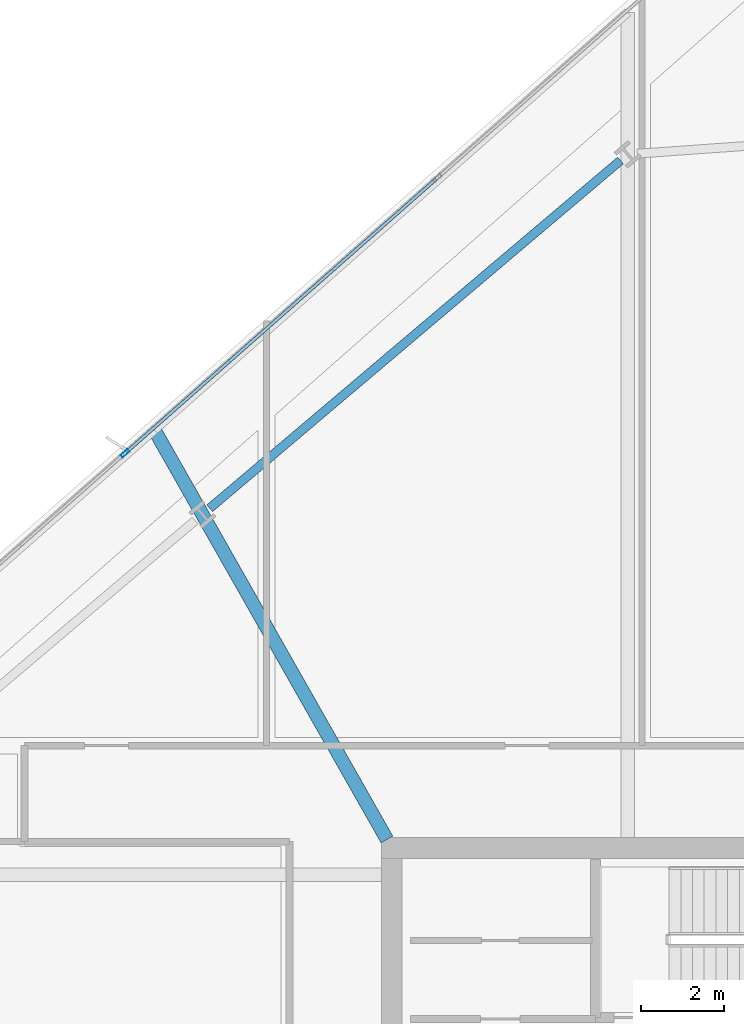
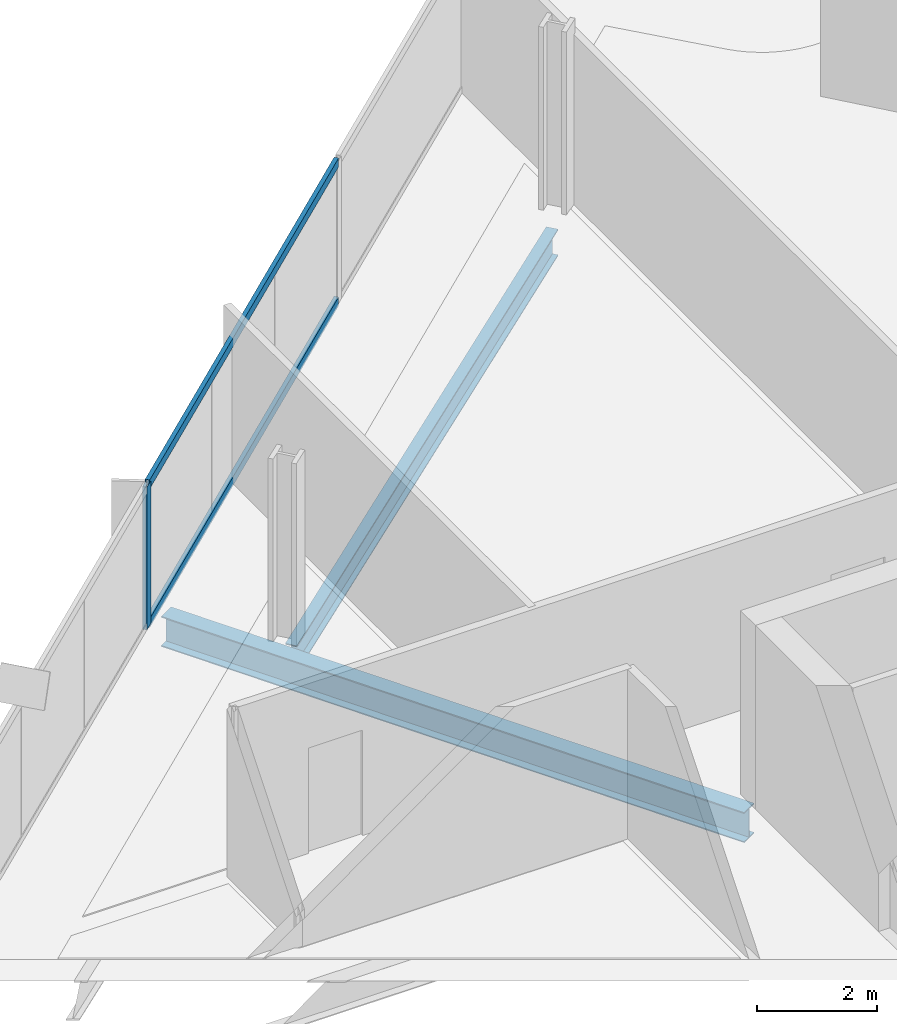
# One storey, part 17 of 34: 3 members, 2 beams, 1 element without a shape of its own.
"""IFC4 building model written with IfcOpenShell, lengths in metres."""

import ifcopenshell
import ifcopenshell.guid

model = None  # the IFC model being written
_history = None  # IfcOwnerHistory: only IFC2X3 demands one
_inside = {}  # id of a spatial element -> (the spatial element, [elements in it])
_under = {}  # id of a project, library or spatial element -> (it, [spatial elements below it])
_declared = {}  # id of a project -> (the project, [libraries it declares])
_typed = {}  # id of a type object -> (the type object, [elements of that type])
_made_of = {}  # id of a material, layer set ... -> (it, [elements and type objects made of it])


def new_model(schema):
    """Start an empty IFC model of exactly this schema.

    Asked for "IFC4X3", IfcOpenShell would pick the latest addendum, in which some entities
    have other attributes; the version numbers below select the first issue.
    IFC2X3 requires an IfcOwnerHistory on every rooted entity: one is made here for all.
    """
    global model, _history
    if schema == "IFC4X3":
        model = ifcopenshell.file(schema_version=(4, 3, 0, 0))
    else:
        model = ifcopenshell.file(schema=schema)
    _inside.clear()
    _under.clear()
    _declared.clear()
    _typed.clear()
    _made_of.clear()
    _history = None
    if model.schema == "IFC2X3":
        org = make("IfcOrganization", Name="unknown")
        user = make(
            "IfcPersonAndOrganization",
            ThePerson=make("IfcPerson", FamilyName="unknown"),
            TheOrganization=org,
        )
        app = make(
            "IfcApplication",
            ApplicationDeveloper=org,
            Version="unknown",
            ApplicationFullName="unknown",
            ApplicationIdentifier="unknown",
        )
        _history = make(
            "IfcOwnerHistory",
            OwningUser=user,
            OwningApplication=app,
            ChangeAction="ADDED",
            CreationDate=0,
        )
    return model


def make(cls, **values):
    """One entity of the class cls with the attributes given. An attribute that is None is left unset."""
    return model.create_entity(
        cls, **{name: value for name, value in values.items() if value is not None}
    )


def rooted(cls, **values):
    """An entity with a GlobalId (a new one), such as an element, a storey or a relation."""
    return make(cls, GlobalId=ifcopenshell.guid.new(), OwnerHistory=_history, **values)


def si_unit(unit_type, name, prefix=None):
    """IfcSIUnit, for example si_unit("LENGTHUNIT", "METRE", prefix="MILLI")."""
    return make("IfcSIUnit", UnitType=unit_type, Prefix=prefix, Name=name)


def assignment(units):
    """IfcUnitAssignment: the units of a project."""
    return None if units is None else make("IfcUnitAssignment", Units=units)


def point(xyz):
    """IfcCartesianPoint."""
    return None if xyz is None else make("IfcCartesianPoint", Coordinates=xyz)


def direction(xyz):
    """IfcDirection."""
    return None if xyz is None else make("IfcDirection", DirectionRatios=xyz)


def frame(location, z_axis=None, x_axis=None):
    """IfcAxis2Placement3D, a coordinate frame: its origin and axes. An axis left out is left unset."""
    return make(
        "IfcAxis2Placement3D",
        Location=point(location),
        Axis=direction(z_axis),
        RefDirection=direction(x_axis),
    )


def frame_2d(location, x_axis=None):
    """IfcAxis2Placement2D, a coordinate frame in the plane: its origin and x axis."""
    return make(
        "IfcAxis2Placement2D", Location=point(location), RefDirection=direction(x_axis)
    )


def origin():
    """The frame at (0, 0, 0) with its axes left unset."""
    return frame((0.0, 0.0, 0.0))


def origin_2d():
    """The frame at (0, 0) in the plane with its x axis left unset."""
    return frame_2d((0.0, 0.0))


def place(relative_to, where):
    """IfcLocalPlacement: puts the frame where relative to a parent placement (None: the world)."""
    return make(
        "IfcLocalPlacement", PlacementRelTo=relative_to, RelativePlacement=where
    )


def context(
    kind, dimensions, precision=None, world=None, true_north=None, identifier=None
):
    """IfcGeometricRepresentationContext, for example the 3D "Model" context."""
    return make(
        "IfcGeometricRepresentationContext",
        ContextIdentifier=identifier,
        ContextType=kind,
        CoordinateSpaceDimension=dimensions,
        Precision=precision,
        WorldCoordinateSystem=world,
        TrueNorth=true_north,
    )


def subcontext(parent, identifier, kind, view, scale=None):
    """IfcGeometricRepresentationSubContext, for example "Body" below "Model"."""
    return make(
        "IfcGeometricRepresentationSubContext",
        ContextIdentifier=identifier,
        ContextType=kind,
        ParentContext=parent,
        TargetScale=scale,
        TargetView=view,
    )


def project(units=None, contexts=None):
    """IfcProject with its units and contexts."""
    return rooted(
        "IfcProject",
        Name="project",
        RepresentationContexts=contexts,
        UnitsInContext=assignment(units),
    )


def spatial(cls, under=None, at=None, **own):
    """A site, building, storey or space (cls), placed at a placement, below another one or the project."""
    s = rooted(cls, ObjectPlacement=at, **own)
    if under is not None:
        _under.setdefault(under.id(), (under, []))[1].append(s)
    return s


def profile(cls, at=None, kind="AREA", **sizes):
    """A parametric profile (cls). Its sizes go by their IFC names, for example OverallWidth=200.0."""
    return make(cls, ProfileType=kind, Position=at, **sizes)


def hollow_rectangle(**sizes):
    """IfcRectangleHollowProfileDef."""
    return profile("IfcRectangleHollowProfileDef", **sizes)


def i_section(**sizes):
    """IfcIShapeProfileDef."""
    return profile("IfcIShapeProfileDef", **sizes)


def extrude(swept, where, along, depth):
    """IfcExtrudedAreaSolid: the profile swept, set in the frame where, extruded along a direction by depth."""
    return make(
        "IfcExtrudedAreaSolid",
        SweptArea=swept,
        Position=where,
        ExtrudedDirection=direction(along),
        Depth=depth,
    )


def shape(context_of_items, identifier, shape_type, items):
    """IfcShapeRepresentation: the items that make up one representation, for example the "Body"."""
    return make(
        "IfcShapeRepresentation",
        ContextOfItems=context_of_items,
        RepresentationIdentifier=identifier,
        RepresentationType=shape_type,
        Items=items,
    )


def material(Name=None, Category=None):
    """IfcMaterial."""
    return make("IfcMaterial", Name=Name, Category=Category)


def material_profile(
    of_material, cross_section, Name=None, Category=None, Priority=None
):
    """IfcMaterialProfile: a cross section and its material."""
    return make(
        "IfcMaterialProfile",
        Name=Name,
        Material=of_material,
        Profile=cross_section,
        Priority=Priority,
        Category=Category,
    )


def profile_set(profiles, Name=None, composite=None):
    """IfcMaterialProfileSet."""
    return make(
        "IfcMaterialProfileSet",
        Name=Name,
        MaterialProfiles=profiles,
        CompositeProfile=composite,
    )


def made_of(thing, what):
    """Note that an element or type object is made of a material, layer set ...; save() writes the relation."""
    if what is not None:
        _made_of.setdefault(what.id(), (what, []))[1].append(thing)
    return thing


def type_object(cls, material=None, **own):
    """A type object (cls), such as IfcWallType, which elements share."""
    return made_of(rooted(cls, **own), material)


def element(
    cls,
    number,
    at=None,
    inside=None,
    cuts=None,
    type_object=None,
    material=None,
    context=None,
    identifier="Body",
    shape_type=None,
    held_by="IfcProductDefinitionShape",
    body=None,
    shapes=None,
    **own,
):
    """One element of the class cls, such as IfcWall. Its Tag is "e" and its number.

    at: its placement. inside: the storey or other place that contains it. cuts: it is an
    opening in that element (IfcRelVoidsElement). A single representation is given by context,
    identifier, shape_type and body (its items); several are given by shapes. held_by: the class
    of the entity that holds the representations. save() writes the other relations.
    """
    e = rooted(cls, Tag="e%d" % number, ObjectPlacement=at, **own)
    if body is not None:
        shapes = [shape(context, identifier, shape_type, body)]
    if shapes is not None:
        e.Representation = make(held_by, Representations=shapes)
    if inside is not None:
        _inside.setdefault(inside.id(), (inside, []))[1].append(e)
    if cuts is not None:
        rooted(
            "IfcRelVoidsElement", RelatingBuildingElement=cuts, RelatedOpeningElement=e
        )
    if type_object is not None:
        _typed.setdefault(type_object.id(), (type_object, []))[1].append(e)
    return made_of(e, material)


def aggregate(whole, parts):
    """IfcRelAggregates: a whole, such as a stair, and the parts it consists of."""
    return rooted("IfcRelAggregates", RelatingObject=whole, RelatedObjects=parts)


def save(model, path):
    """Write the relations noted so far, then the file.

    IfcRelAggregates (storeys below a building ...), IfcRelContainedInSpatialStructure (elements
    in a storey), IfcRelDefinesByType, IfcRelAssociatesMaterial and IfcRelDeclares: one each for
    every whole, place, type object, material and project.
    """
    for whole, parts in _under.values():
        aggregate(whole, parts)
    for where, things in _inside.values():
        rooted(
            "IfcRelContainedInSpatialStructure",
            RelatedElements=things,
            RelatingStructure=where,
        )
    for kind, things in _typed.values():
        rooted("IfcRelDefinesByType", RelatedObjects=things, RelatingType=kind)
    for what, things in _made_of.values():
        rooted("IfcRelAssociatesMaterial", RelatedObjects=things, RelatingMaterial=what)
    for by, libraries in _declared.values():
        rooted("IfcRelDeclares", RelatingContext=by, RelatedDefinitions=libraries)
    model.write(path)


model = new_model("IFC4")

# Units and contexts
model_context = context("Model", 3, precision=1e-05, world=origin(), true_north=direction((0.0, 1.0)))
body_context = subcontext(model_context, "Body", "Model", "MODEL_VIEW")
ifc_project = project(units=[si_unit("LENGTHUNIT", "METRE"), si_unit("AREAUNIT", "SQUARE_METRE"), si_unit("VOLUMEUNIT", "CUBIC_METRE"), si_unit("PLANEANGLEUNIT", "RADIAN"), si_unit("MASSUNIT", "GRAM", prefix="KILO")], contexts=[model_context])

# Site, building, storey
site_placement = place(None, origin())
site = spatial("IfcSite", under=ifc_project, at=site_placement, CompositionType="ELEMENT")
building_placement = place(site_placement, origin())
building = spatial("IfcBuilding", under=site, at=building_placement, Name="Haldenkirk Collegiate Tower", CompositionType="ELEMENT")
storey_placement = place(building_placement, frame((0.0, 0.0, 166.949951171875)))
storey = spatial("IfcBuildingStorey", under=building, at=storey_placement, Name="L41", CompositionType="ELEMENT", Elevation=166.949951171875)

# Beams
ifc_material_1 = material(Name="Steel ASTM A992 Grade 50", Category="steel")
ifc_material_profile_1 = material_profile(ifc_material_1, i_section(OverallWidth=0.324951171875, OverallDepth=0.615966796875, WebThickness=0.013916015625, FlangeThickness=0.021484375, at=origin_2d()), Name="W24X117")
ifc_profile_set_1 = profile_set([ifc_material_profile_1], Name="Steel ASTM A992 Grade 50")
beam_type_1 = type_object("IfcBeamType", Name="BM-GIRDER-W24X117", PredefinedType="BEAM", material=ifc_profile_set_1)
beam_1_placement = place(storey_placement, frame((21.3115234375, 44.01904296875, -0.597900390625), z_axis=(0.493736344355, -0.869611650257, 0.0), x_axis=(0.869611650257, 0.493736344355, 0.0)))
element("IfcBeam", 1, at=beam_1_placement, inside=storey, type_object=beam_type_1, Name="L41 primary floor girder 12", PredefinedType="BEAM", context=body_context, shape_type="SweptSolid", body=[
    extrude(i_section(OverallWidth=0.324951171875, OverallDepth=0.615966796875, WebThickness=0.013916015625, FlangeThickness=0.021484375, at=origin_2d()), origin(), (0.0, 0.0, 1.0), 11.291259765625),
])
ifc_material_profile_2 = material_profile(ifc_material_1, i_section(OverallWidth=0.2119140625, OverallDepth=0.5439453125, WebThickness=0.01318359375, FlangeThickness=0.021240234375, at=origin_2d()), Name="W21X83")
ifc_profile_set_2 = profile_set([ifc_material_profile_2], Name="Steel ASTM A992 Grade 50")
beam_type_2 = type_object("IfcBeamType", Name="BM-SPANDREL-W21X83", PredefinedType="SPANDREL", material=ifc_profile_set_2)
beam_2_placement = place(storey_placement, frame((32.482666015625, 50.471435546875, -0.56201171875), z_axis=(-0.763233335078, -0.646122957514, 0.0), x_axis=(0.646122957514, -0.763233335078, 0.0)))
element("IfcBeam", 2, at=beam_2_placement, inside=storey, type_object=beam_type_2, Name="L41 perimeter spandrel beam 10", PredefinedType="SPANDREL", context=body_context, shape_type="SweptSolid", body=[
    extrude(i_section(OverallWidth=0.2119140625, OverallDepth=0.5439453125, WebThickness=0.01318359375, FlangeThickness=0.021240234375, at=origin_2d()), origin(), (0.0, 0.0, 1.0), 12.898193359375),
])

# Curtain wall, members
ifc_material_2 = material(Name="Anodised architectural bronze aluminium", Category="aluminium")
curtain_wall_type = type_object("IfcCurtainWallType", Name="CW-SYS1-CONVEX-LOW", PredefinedType="USERDEFINED", material=ifc_material_2)
curtain_wall_placement = place(storey_placement, origin())
curtain_wall = element("IfcCurtainWall", 3, at=curtain_wall_placement, inside=storey, type_object=curtain_wall_type, Name="L41 Lower tower convex bronze-framed unitised curtain wall", ObjectType="UNITISED CURTAIN WALL", PredefinedType="USERDEFINED")
ifc_material_profile_3 = material_profile(ifc_material_2, hollow_rectangle(XDim=0.080078125, YDim=0.219970703125, WallThickness=0.0048828125, at=origin_2d()), Name="CW-MUL-1A")
ifc_profile_set_3 = profile_set([ifc_material_profile_3], Name="Anodised architectural bronze aluminium")
member_type_1 = type_object("IfcMemberType", Name="CW-MUL-1A", PredefinedType="MULLION", material=ifc_profile_set_3)
member_1_placement = place(storey_placement, frame((20.611328125, 43.455078125, 0.0), z_axis=(0.0, 0.0, 1.0), x_axis=(-0.661310403519, 0.750112358382, 0.0)))
member_1 = element("IfcMember", 4, at=member_1_placement, type_object=member_type_1, Name="CW-1A mullion 3", PredefinedType="MULLION", context=body_context, shape_type="SweptSolid", body=[
    extrude(hollow_rectangle(XDim=0.080078125, YDim=0.219970703125, WallThickness=0.0048828125, at=origin_2d()), origin(), (0.0, 0.0, 1.0), 2.9111328125),
])
ifc_material_profile_4 = material_profile(ifc_material_2, hollow_rectangle(XDim=0.080078125, YDim=0.179931640625, WallThickness=0.0048828125, at=origin_2d()), Name="CW-TRN-1A")
ifc_profile_set_4 = profile_set([ifc_material_profile_4], Name="Anodised architectural bronze aluminium")
member_type_2 = type_object("IfcMemberType", Name="CW-TRN-1A", PredefinedType="USERDEFINED", material=ifc_profile_set_4)
member_2_placement = place(storey_placement, frame((20.641357421875, 43.481689453125, 0.0400390625), z_axis=(0.750110683421, 0.661312303392, 0.0), x_axis=(-0.661312303392, 0.750110683421, 0.0)))
member_2 = element("IfcMember", 5, at=member_2_placement, type_object=member_type_2, Name="CW-1A transom 3.1", ObjectType="TRANSOM", PredefinedType="USERDEFINED", context=body_context, shape_type="SweptSolid", body=[
    extrude(hollow_rectangle(XDim=0.080078125, YDim=0.179931640625, WallThickness=0.0048828125, at=origin_2d()), origin(), (0.0, 0.0, 1.0), 9.89501953125),
])
member_3_placement = place(storey_placement, frame((20.641357421875, 43.481689453125, 2.87109375), z_axis=(0.750110683421, 0.661312303392, 0.0), x_axis=(-0.661312303392, 0.750110683421, 0.0)))
member_3 = element("IfcMember", 6, at=member_3_placement, type_object=member_type_2, Name="CW-1A transom 3.2", ObjectType="TRANSOM", PredefinedType="USERDEFINED", context=body_context, shape_type="SweptSolid", body=[
    extrude(hollow_rectangle(XDim=0.080078125, YDim=0.179931640625, WallThickness=0.0048828125, at=origin_2d()), origin(), (0.0, 0.0, 1.0), 9.89501953125),
])
aggregate(curtain_wall, [member_1, member_2, member_3])

save(model, "model.ifc")
